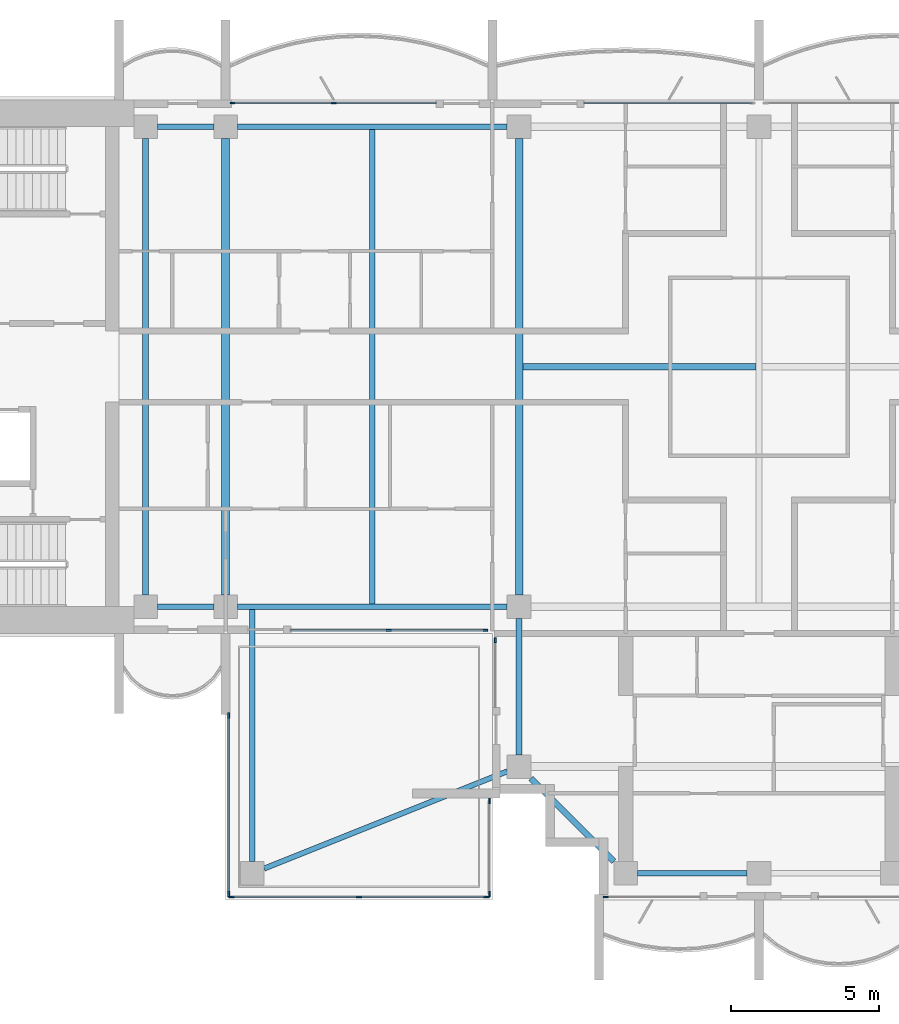
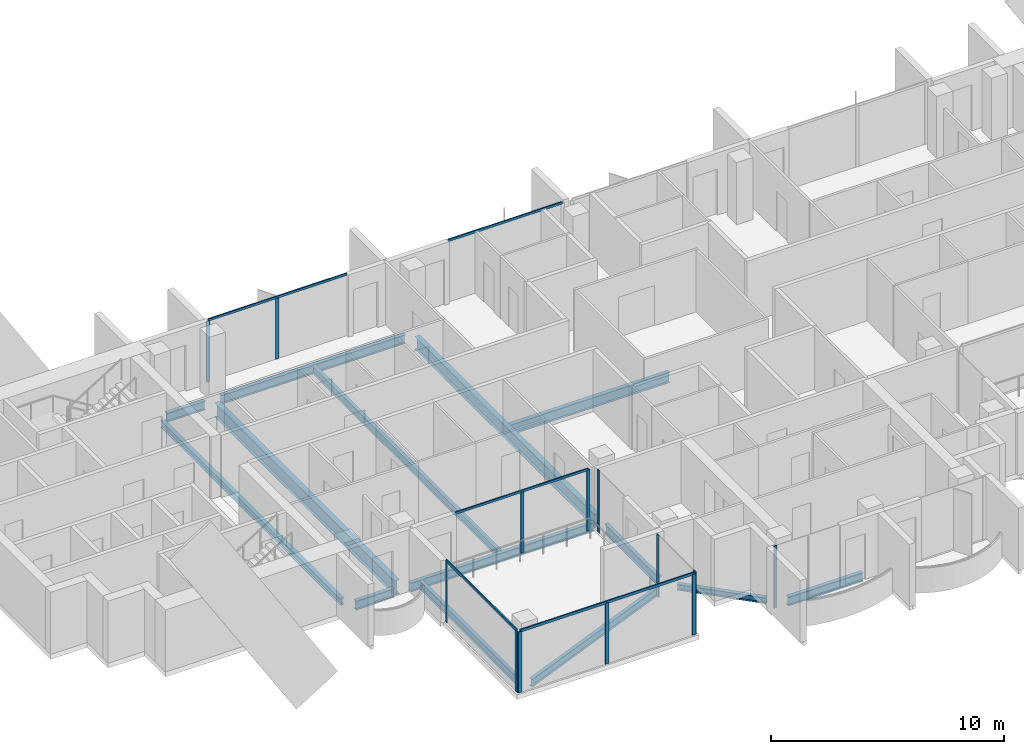
# One storey, part 2 of 16: 18 members, 14 beams, 8 elements without a shape of their own.
"""IFC4 building model written with IfcOpenShell, lengths in metres."""

from ifc_helpers import new_model, si_unit, direction, frame, origin, origin_2d, place, context, subcontext, project, spatial, rectangle, i_section, extrude, material, material_profile, profile_set, type_object, element, aggregate, save


model = new_model("IFC4")

# Units and contexts
model_context = context("Model", 3, precision=1e-05, world=origin(), true_north=direction((0.0, 1.0)))
body_context = subcontext(model_context, "Body", "Model", "MODEL_VIEW")
ifc_project = project(units=[si_unit("LENGTHUNIT", "METRE"), si_unit("AREAUNIT", "SQUARE_METRE"), si_unit("VOLUMEUNIT", "CUBIC_METRE"), si_unit("PLANEANGLEUNIT", "RADIAN"), si_unit("MASSUNIT", "GRAM", prefix="KILO")], contexts=[model_context])

# Site, building, storey
site_placement = place(None, origin())
site = spatial("IfcSite", under=ifc_project, at=site_placement, CompositionType="ELEMENT")
building_placement = place(site_placement, origin())
building = spatial("IfcBuilding", under=site, at=building_placement, Name="Perihelion Cross Residences", CompositionType="ELEMENT")
storey_placement = place(building_placement, frame((0.0, 0.0, 260.5)))
storey = spatial("IfcBuildingStorey", under=building, at=storey_placement, Name="L66", CompositionType="ELEMENT", Elevation=260.5)

# Curtain wall, members
ifc_material_1 = material(Name="Bronze anodised aluminium, tinted glazing", Category="aluminium")
curtain_wall_type_1 = type_object("IfcCurtainWallType", Name="CW1", PredefinedType="NOTDEFINED", material=ifc_material_1)
curtain_wall_1_placement = place(storey_placement, origin())
curtain_wall_1 = element("IfcCurtainWall", 1, at=curtain_wall_1_placement, inside=storey, type_object=curtain_wall_type_1, Name="Curtain wall CW1 L66 west side north bay 1", PredefinedType="NOTDEFINED")
ifc_material_2 = material(Name="Bronze anodised aluminium", Category="aluminium")
ifc_material_profile_1 = material_profile(ifc_material_2, rectangle(XDim=0.06005859375, YDim=0.159912109375, at=origin_2d()), Name="CW1 mullion")
ifc_profile_set_1 = profile_set([ifc_material_profile_1], Name="Bronze anodised aluminium")
member_type_1 = type_object("IfcMemberType", Name="CW1 mullion", PredefinedType="MULLION", material=ifc_profile_set_1)
member_1_placement = place(storey_placement, frame((-14.35009765625, 8.89990234375, 0.0), z_axis=(0.0, 0.0, 1.0), x_axis=(0.0, -1.0, 0.0)))
member_1 = element("IfcMember", 2, at=member_1_placement, type_object=member_type_1, Name="CW1 mullion 2", PredefinedType="MULLION", context=body_context, shape_type="SweptSolid", body=[
    extrude(rectangle(XDim=0.06005859375, YDim=0.159912109375, at=origin_2d()), origin(), (0.0, 0.0, 1.0), 3.18994140625),
])
member_2_placement = place(storey_placement, frame((-17.77001953125, 8.89990234375, 0.0), z_axis=(0.0, 0.0, 1.0), x_axis=(0.0, -1.0, 0.0)))
member_2 = element("IfcMember", 3, at=member_2_placement, type_object=member_type_1, Name="CW1 mullion 3", PredefinedType="MULLION", context=body_context, shape_type="SweptSolid", body=[
    extrude(rectangle(XDim=0.06005859375, YDim=0.159912109375, at=origin_2d()), origin(), (0.0, 0.0, 1.0), 3.18994140625),
])

curtain_wall_2_placement = place(storey_placement, origin())
curtain_wall_2 = element("IfcCurtainWall", 4, at=curtain_wall_2_placement, inside=storey, type_object=curtain_wall_type_1, Name="Curtain wall CW1 L66 west side south bay 2", PredefinedType="NOTDEFINED")
member_3_placement = place(storey_placement, frame((-12.5, -8.89990234375, 0.0), z_axis=(0.0, 0.0, 1.0), x_axis=(0.0, 1.0, 0.0)))
member_3 = element("IfcMember", 5, at=member_3_placement, type_object=member_type_1, Name="CW1 mullion 2", PredefinedType="MULLION", context=body_context, shape_type="SweptSolid", body=[
    extrude(rectangle(XDim=0.06005859375, YDim=0.159912109375, at=origin_2d()), origin(), (0.0, 0.0, 1.0), 3.18994140625),
])
member_4_placement = place(storey_placement, frame((-9.22998046875, -8.89990234375, 0.0), z_axis=(0.0, 0.0, 1.0), x_axis=(0.0, 1.0, 0.0)))
member_4 = element("IfcMember", 6, at=member_4_placement, type_object=member_type_1, Name="CW1 mullion 3", PredefinedType="MULLION", context=body_context, shape_type="SweptSolid", body=[
    extrude(rectangle(XDim=0.06005859375, YDim=0.159912109375, at=origin_2d()), origin(), (0.0, 0.0, 1.0), 3.18994140625),
])

# Curtain wall, member
curtain_wall_3_placement = place(storey_placement, origin())
curtain_wall_3 = element("IfcCurtainWall", 7, at=curtain_wall_3_placement, inside=storey, type_object=curtain_wall_type_1, Name="Curtain wall CW1 L66 south side west bay 1", PredefinedType="NOTDEFINED")
member_5_placement = place(storey_placement, frame((-8.89990234375, -9.22998046875, 0.0), z_axis=(0.0, 0.0, 1.0), x_axis=(1.0, 0.0, 0.0)))
member_5 = element("IfcMember", 8, at=member_5_placement, type_object=member_type_1, Name="CW1 mullion 1", PredefinedType="MULLION", context=body_context, shape_type="SweptSolid", body=[
    extrude(rectangle(XDim=0.06005859375, YDim=0.159912109375, at=origin_2d()), origin(), (0.0, 0.0, 1.0), 3.25),
])
aggregate(curtain_wall_3, [member_5])

curtain_wall_4_placement = place(storey_placement, origin())
curtain_wall_4 = element("IfcCurtainWall", 9, at=curtain_wall_4_placement, inside=storey, type_object=curtain_wall_type_1, Name="Curtain wall CW1 L66 south tip south bay 1", PredefinedType="NOTDEFINED")
member_6_placement = place(storey_placement, frame((-5.169921875, -17.89990234375, 0.0), z_axis=(0.0, 0.0, 1.0), x_axis=(0.0, 1.0, 0.0)))
member_6 = element("IfcMember", 10, at=member_6_placement, type_object=member_type_1, Name="CW1 mullion 1", PredefinedType="MULLION", context=body_context, shape_type="SweptSolid", body=[
    extrude(rectangle(XDim=0.06005859375, YDim=0.159912109375, at=origin_2d()), origin(), (0.0, 0.0, 1.0), 3.25),
])
aggregate(curtain_wall_4, [member_6])

curtain_wall_5_placement = place(storey_placement, origin())
curtain_wall_5 = element("IfcCurtainWall", 11, at=curtain_wall_5_placement, inside=storey, type_object=curtain_wall_type_1, Name="Curtain wall CW1 L66 north side east bay 2", PredefinedType="NOTDEFINED")
ifc_material_3 = material(Name="Bronze anodised aluminium", Category="aluminium")
ifc_material_profile_2 = material_profile(ifc_material_3, rectangle(XDim=0.06005859375, YDim=0.1201171875, at=origin_2d()), Name="CW1 transom")
ifc_profile_set_2 = profile_set([ifc_material_profile_2], Name="Bronze anodised aluminium")
member_type_2 = type_object("IfcMemberType", Name="CW1 transom", PredefinedType="USERDEFINED", material=ifc_profile_set_2)
member_7_placement = place(storey_placement, frame((-0.22998046875, 8.89990234375, 3.219970703125), z_axis=(-1.0, 0.0, 0.0), x_axis=(0.0, -1.0, 0.0)))
member_7 = element("IfcMember", 12, at=member_7_placement, type_object=member_type_2, Name="CW1 head transom", ObjectType="TRANSOM", PredefinedType="USERDEFINED", context=body_context, shape_type="SweptSolid", body=[
    extrude(rectangle(XDim=0.06005859375, YDim=0.1201171875, at=origin_2d()), origin(), (0.0, 0.0, 1.0), 5.669921875),
])
aggregate(curtain_wall_5, [member_7])

# Member
member_8_placement = place(storey_placement, frame((-10.89990234375, 8.89990234375, 3.219970703125), z_axis=(-1.0, 0.0, 0.0), x_axis=(0.0, -1.0, 0.0)))
member_8 = element("IfcMember", 13, at=member_8_placement, type_object=member_type_2, Name="CW1 head transom", ObjectType="TRANSOM", PredefinedType="USERDEFINED", context=body_context, shape_type="SweptSolid", body=[
    extrude(rectangle(XDim=0.06005859375, YDim=0.1201171875, at=origin_2d()), origin(), (0.0, 0.0, 1.0), 6.8701171875),
])

aggregate(curtain_wall_1, [member_1, member_2, member_8])

member_9_placement = place(storey_placement, frame((-15.800048828125, -8.89990234375, 3.219970703125), z_axis=(1.0, 0.0, 0.0), x_axis=(0.0, 1.0, 0.0)))
member_9 = element("IfcMember", 14, at=member_9_placement, type_object=member_type_2, Name="CW1 head transom", ObjectType="TRANSOM", PredefinedType="USERDEFINED", context=body_context, shape_type="SweptSolid", body=[
    extrude(rectangle(XDim=0.06005859375, YDim=0.1201171875, at=origin_2d()), origin(), (0.0, 0.0, 1.0), 6.570068359375),
])

aggregate(curtain_wall_2, [member_3, member_4, member_9])

# Curtain wall, members
ifc_material_4 = material(Name="Bronze anodised aluminium, tinted glazing", Category="aluminium")
curtain_wall_type_2 = type_object("IfcCurtainWallType", Name="CW4", PredefinedType="NOTDEFINED", material=ifc_material_4)
curtain_wall_6_placement = place(storey_placement, origin())
curtain_wall_6 = element("IfcCurtainWall", 15, at=curtain_wall_6_placement, inside=storey, type_object=curtain_wall_type_2, Name="Curtain wall CW4 L66 pocket south-west 1 1", PredefinedType="NOTDEFINED")
ifc_material_5 = material(Name="Bronze anodised aluminium", Category="aluminium")
ifc_material_profile_3 = material_profile(ifc_material_5, rectangle(XDim=0.06005859375, YDim=0.179931640625, at=origin_2d()), Name="CW4 mullion")
ifc_profile_set_3 = profile_set([ifc_material_profile_3], Name="Bronze anodised aluminium")
member_type_3 = type_object("IfcMemberType", Name="CW4 mullion", PredefinedType="MULLION", material=ifc_profile_set_3)
member_10_placement = place(storey_placement, frame((-9.10009765625, -14.658935546875, 0.0), z_axis=(0.0, 0.0, 1.0), x_axis=(1.0, 0.0, 0.0)))
member_10 = element("IfcMember", 16, at=member_10_placement, type_object=member_type_3, Name="CW4 mullion 1", PredefinedType="MULLION", context=body_context, shape_type="SweptSolid", body=[
    extrude(rectangle(XDim=0.06005859375, YDim=0.179931640625, at=origin_2d()), origin(), (0.0, 0.0, 1.0), 3.25),
])
member_11_placement = place(storey_placement, frame((-9.10009765625, -17.800048828125, 0.0), z_axis=(0.0, 0.0, 1.0), x_axis=(1.0, 0.0, 0.0)))
member_11 = element("IfcMember", 17, at=member_11_placement, type_object=member_type_3, Name="CW4 mullion 2", PredefinedType="MULLION", context=body_context, shape_type="SweptSolid", body=[
    extrude(rectangle(XDim=0.06005859375, YDim=0.179931640625, at=origin_2d()), origin(), (0.0, 0.0, 1.0), 3.25),
])
aggregate(curtain_wall_6, [member_10, member_11])

curtain_wall_7_placement = place(storey_placement, origin())
curtain_wall_7 = element("IfcCurtainWall", 18, at=curtain_wall_7_placement, inside=storey, type_object=curtain_wall_type_2, Name="Curtain wall CW4 L66 pocket south-west 1 2", PredefinedType="NOTDEFINED")
member_12_placement = place(storey_placement, frame((-9.199951171875, -17.89990234375, 0.0), z_axis=(0.0, 0.0, 1.0), x_axis=(0.0, -1.0, 0.0)))
member_12 = element("IfcMember", 19, at=member_12_placement, type_object=member_type_3, Name="CW4 mullion 1", PredefinedType="MULLION", context=body_context, shape_type="SweptSolid", body=[
    extrude(rectangle(XDim=0.06005859375, YDim=0.179931640625, at=origin_2d()), origin(), (0.0, 0.0, 1.0), 3.18994140625),
])
member_13_placement = place(storey_placement, frame((-13.5, -17.89990234375, 0.0), z_axis=(0.0, 0.0, 1.0), x_axis=(0.0, -1.0, 0.0)))
member_13 = element("IfcMember", 20, at=member_13_placement, type_object=member_type_3, Name="CW4 mullion 2", PredefinedType="MULLION", context=body_context, shape_type="SweptSolid", body=[
    extrude(rectangle(XDim=0.06005859375, YDim=0.179931640625, at=origin_2d()), origin(), (0.0, 0.0, 1.0), 3.18994140625),
])
member_14_placement = place(storey_placement, frame((-17.800048828125, -17.89990234375, 0.0), z_axis=(0.0, 0.0, 1.0), x_axis=(0.0, -1.0, 0.0)))
member_14 = element("IfcMember", 21, at=member_14_placement, type_object=member_type_3, Name="CW4 mullion 3", PredefinedType="MULLION", context=body_context, shape_type="SweptSolid", body=[
    extrude(rectangle(XDim=0.06005859375, YDim=0.179931640625, at=origin_2d()), origin(), (0.0, 0.0, 1.0), 3.18994140625),
])

curtain_wall_8_placement = place(storey_placement, origin())
curtain_wall_8 = element("IfcCurtainWall", 22, at=curtain_wall_8_placement, inside=storey, type_object=curtain_wall_type_2, Name="Curtain wall CW4 L66 pocket south-west 1 3", PredefinedType="NOTDEFINED")
member_15_placement = place(storey_placement, frame((-17.89990234375, -17.800048828125, 0.0), z_axis=(0.0, 0.0, 1.0), x_axis=(-1.0, 0.0, 0.0)))
member_15 = element("IfcMember", 23, at=member_15_placement, type_object=member_type_3, Name="CW4 mullion 1", PredefinedType="MULLION", context=body_context, shape_type="SweptSolid", body=[
    extrude(rectangle(XDim=0.06005859375, YDim=0.179931640625, at=origin_2d()), origin(), (0.0, 0.0, 1.0), 3.18994140625),
])
member_16_placement = place(storey_placement, frame((-17.89990234375, -11.77001953125, 0.0), z_axis=(0.0, 0.0, 1.0), x_axis=(-1.0, 0.0, 0.0)))
member_16 = element("IfcMember", 24, at=member_16_placement, type_object=member_type_3, Name="CW4 mullion 2", PredefinedType="MULLION", context=body_context, shape_type="SweptSolid", body=[
    extrude(rectangle(XDim=0.06005859375, YDim=0.179931640625, at=origin_2d()), origin(), (0.0, 0.0, 1.0), 3.18994140625),
])

# Member
ifc_material_6 = material(Name="Bronze anodised aluminium", Category="aluminium")
ifc_material_profile_4 = material_profile(ifc_material_6, rectangle(XDim=0.06005859375, YDim=0.139892578125, at=origin_2d()), Name="CW4 transom")
ifc_profile_set_4 = profile_set([ifc_material_profile_4], Name="Bronze anodised aluminium")
member_type_4 = type_object("IfcMemberType", Name="CW4 transom", PredefinedType="USERDEFINED", material=ifc_profile_set_4)
member_17_placement = place(storey_placement, frame((-9.199951171875, -17.89990234375, 3.219970703125), z_axis=(-1.0, 0.0, 0.0), x_axis=(0.0, -1.0, 0.0)))
member_17 = element("IfcMember", 25, at=member_17_placement, type_object=member_type_4, Name="CW4 head transom", ObjectType="TRANSOM", PredefinedType="USERDEFINED", context=body_context, shape_type="SweptSolid", body=[
    extrude(rectangle(XDim=0.06005859375, YDim=0.139892578125, at=origin_2d()), origin(), (0.0, 0.0, 1.0), 8.60009765625),
])

aggregate(curtain_wall_7, [member_12, member_13, member_14, member_17])

member_18_placement = place(storey_placement, frame((-17.89990234375, -17.800048828125, 3.219970703125), z_axis=(0.0, 1.0, 0.0), x_axis=(-1.0, 0.0, 0.0)))
member_18 = element("IfcMember", 26, at=member_18_placement, type_object=member_type_4, Name="CW4 head transom", ObjectType="TRANSOM", PredefinedType="USERDEFINED", context=body_context, shape_type="SweptSolid", body=[
    extrude(rectangle(XDim=0.06005859375, YDim=0.139892578125, at=origin_2d()), origin(), (0.0, 0.0, 1.0), 6.030029296875),
])

aggregate(curtain_wall_8, [member_15, member_16, member_18])

# Beams
ifc_material_7 = material(Name="Steel S355", Category="steel")
ifc_material_profile_5 = material_profile(ifc_material_7, i_section(OverallWidth=0.205078125, OverallDepth=0.35302734375, WebThickness=0.009521484375, FlangeThickness=0.016845703125, at=origin_2d()), Name="W360x79")
ifc_profile_set_5 = profile_set([ifc_material_profile_5], Name="Steel S355")
beam_type_1 = type_object("IfcBeamType", Name="Core edge beam W360x79", PredefinedType="BEAM", material=ifc_profile_set_5)
beam_1_placement = place(storey_placement, frame((-20.699951171875, -7.699951171875, -0.426513671875), z_axis=(0.0, 1.0, 0.0), x_axis=(-1.0, 0.0, 0.0)))
element("IfcBeam", 27, at=beam_1_placement, inside=storey, type_object=beam_type_1, Name="Core edge beam TB7 L66 no. 1", PredefinedType="BEAM", context=body_context, shape_type="SweptSolid", body=[
    extrude(i_section(OverallWidth=0.205078125, OverallDepth=0.35302734375, WebThickness=0.009521484375, FlangeThickness=0.016845703125, at=origin_2d()), origin(), (0.0, 0.0, 1.0), 15.39990234375),
])
ifc_material_8 = material(Name="Steel S355", Category="steel")
ifc_material_profile_6 = material_profile(ifc_material_8, i_section(OverallWidth=0.177978515625, OverallDepth=0.406005859375, WebThickness=0.0078125, FlangeThickness=0.0126953125, at=origin_2d()), Name="W410x60")
ifc_profile_set_6 = profile_set([ifc_material_profile_6], Name="Steel S355")
beam_type_2 = type_object("IfcBeamType", Name="Core edge beam W410x60", PredefinedType="BEAM", material=ifc_profile_set_6)
beam_2_placement = place(storey_placement, frame((-17.10009765625, -8.197021484375, -0.452880859375), z_axis=(0.0, -1.0, 0.0), x_axis=(1.0, 0.0, 0.0)))
element("IfcBeam", 28, at=beam_2_placement, inside=storey, type_object=beam_type_2, Name="Core edge beam TB2 L66 corner no. 1", PredefinedType="BEAM", context=body_context, shape_type="SweptSolid", body=[
    extrude(i_section(OverallWidth=0.177978515625, OverallDepth=0.406005859375, WebThickness=0.0078125, FlangeThickness=0.0126953125, at=origin_2d()), origin(), (0.0, 0.0, 1.0), 8.5029296875),
])
beam_3_placement = place(storey_placement, frame((-8.5, -13.659912109375, -0.452880859375), z_axis=(-0.928474784399, -0.371395442534, 0.0), x_axis=(0.371395442534, -0.928474784399, 0.0)))
element("IfcBeam", 29, at=beam_3_placement, inside=storey, type_object=beam_type_2, Name="Core edge beam TB2 L66 corner no. 2", PredefinedType="BEAM", context=body_context, shape_type="SweptSolid", body=[
    extrude(i_section(OverallWidth=0.177978515625, OverallDepth=0.406005859375, WebThickness=0.0078125, FlangeThickness=0.0126953125, at=origin_2d()), origin(), (0.0, 0.0, 1.0), 8.83154296875),
])
ifc_material_9 = material(Name="Steel S355", Category="steel")
ifc_material_profile_7 = material_profile(ifc_material_9, i_section(OverallWidth=0.194091796875, OverallDepth=0.469970703125, WebThickness=0.0126953125, FlangeThickness=0.0205078125, at=origin_2d()), Name="W460x106")
ifc_profile_set_7 = profile_set([ifc_material_profile_7], Name="Steel S355")
beam_type_3 = type_object("IfcBeamType", Name="Edge beam W460x106", PredefinedType="SPANDREL", material=ifc_profile_set_7)
beam_4_placement = place(storey_placement, frame((-8.5, 8.10009765625, -0.485107421875), z_axis=(-1.0, 0.0, 0.0), x_axis=(0.0, -1.0, 0.0)))
element("IfcBeam", 30, at=beam_4_placement, inside=storey, type_object=beam_type_3, Name="Edge beam SB5 L66 no. 6", PredefinedType="SPANDREL", context=body_context, shape_type="SweptSolid", body=[
    extrude(i_section(OverallWidth=0.194091796875, OverallDepth=0.469970703125, WebThickness=0.0126953125, FlangeThickness=0.0205078125, at=origin_2d()), origin(), (0.0, 0.0, 1.0), 9.10009765625),
])
for number, where, z_axis, x_axis, name in (
    (31, (-18.39990234375, 8.10009765625, -0.485107421875), (-1.0, 0.0, 0.0), (0.0, -1.0, 0.0), "Edge beam SB5 L66 no. 2"),
    (32, (-20.300048828125, -8.10009765625, -0.485107421875), (1.0, 0.0, 0.0), (0.0, 1.0, 0.0), "Edge beam SB5 L66 no. 3"),
):
    element("IfcBeam", number, at=place(storey_placement, frame(where, z_axis=z_axis, x_axis=x_axis)), inside=storey, type_object=beam_type_3, Name=name, PredefinedType="SPANDREL", context=body_context, shape_type="SweptSolid", body=[
        extrude(i_section(OverallWidth=0.194091796875, OverallDepth=0.469970703125, WebThickness=0.0126953125, FlangeThickness=0.0205078125, at=origin_2d()), origin(), (0.0, 0.0, 1.0), 1.900146484375),
    ])
beam_5_placement = place(storey_placement, frame((-17.60009765625, -8.10009765625, -0.485107421875), z_axis=(1.0, 0.0, 0.0), x_axis=(0.0, 1.0, 0.0)))
element("IfcBeam", 33, at=beam_5_placement, inside=storey, type_object=beam_type_3, Name="Edge beam SB5 L66 no. 1", PredefinedType="SPANDREL", context=body_context, shape_type="SweptSolid", body=[
    extrude(i_section(OverallWidth=0.194091796875, OverallDepth=0.469970703125, WebThickness=0.0126953125, FlangeThickness=0.0205078125, at=origin_2d()), origin(), (0.0, 0.0, 1.0), 9.10009765625),
])
beam_6_placement = place(storey_placement, frame((-8.10009765625, -8.5, -0.485107421875), z_axis=(0.0, -1.0, 0.0), x_axis=(1.0, 0.0, 0.0)))
element("IfcBeam", 34, at=beam_6_placement, inside=storey, type_object=beam_type_3, Name="Edge beam SB5 L66 no. 5", PredefinedType="SPANDREL", context=body_context, shape_type="SweptSolid", body=[
    extrude(i_section(OverallWidth=0.194091796875, OverallDepth=0.469970703125, WebThickness=0.0126953125, FlangeThickness=0.0205078125, at=origin_2d()), origin(), (0.0, 0.0, 1.0), 4.60009765625),
])
beam_7_placement = place(storey_placement, frame((-4.10009765625, -17.10009765625, -0.485107421875), z_axis=(1.0, 0.0, 0.0), x_axis=(0.0, 1.0, 0.0)))
element("IfcBeam", 35, at=beam_7_placement, inside=storey, type_object=beam_type_3, Name="Edge beam SB5 L66 no. 4", PredefinedType="SPANDREL", context=body_context, shape_type="SweptSolid", body=[
    extrude(i_section(OverallWidth=0.194091796875, OverallDepth=0.469970703125, WebThickness=0.0126953125, FlangeThickness=0.0205078125, at=origin_2d()), origin(), (0.0, 0.0, 1.0), 3.7001953125),
])
ifc_material_10 = material(Name="Steel S355", Category="steel")
ifc_material_profile_8 = material_profile(ifc_material_10, i_section(OverallWidth=0.26708984375, OverallDepth=0.75390625, WebThickness=0.01318359375, FlangeThickness=0.01708984375, at=origin_2d()), Name="W760x147")
ifc_profile_set_8 = profile_set([ifc_material_profile_8], Name="Steel S355")
beam_type_4 = type_object("IfcBeamType", Name="Floor girder W760x147", PredefinedType="BEAM", material=ifc_profile_set_8)
beam_8_placement = place(storey_placement, frame((-18.0, -7.699951171875, -0.626953125), z_axis=(0.0, 1.0, 0.0), x_axis=(-1.0, 0.0, 0.0)))
element("IfcBeam", 36, at=beam_8_placement, inside=storey, type_object=beam_type_4, Name="Girder G5 L66 no. 1", PredefinedType="BEAM", context=body_context, shape_type="SweptSolid", body=[
    extrude(i_section(OverallWidth=0.26708984375, OverallDepth=0.75390625, WebThickness=0.01318359375, FlangeThickness=0.01708984375, at=origin_2d()), origin(), (0.0, 0.0, 1.0), 15.39990234375),
])
ifc_material_11 = material(Name="Steel S355", Category="steel")
ifc_material_profile_9 = material_profile(ifc_material_11, i_section(OverallWidth=0.177978515625, OverallDepth=0.406005859375, WebThickness=0.0078125, FlangeThickness=0.0126953125, at=origin_2d()), Name="W410x60")
ifc_profile_set_9 = profile_set([ifc_material_profile_9], Name="Steel S355")
beam_type_5 = type_object("IfcBeamType", Name="Floor joist W410x60", PredefinedType="JOIST", material=ifc_profile_set_9)
beam_9_placement = place(storey_placement, frame((-13.050048828125, -8.0029296875, -0.452880859375), z_axis=(0.0, 1.0, 0.0), x_axis=(-1.0, 0.0, 0.0)))
element("IfcBeam", 37, at=beam_9_placement, inside=storey, type_object=beam_type_5, Name="Joist J6 L66 no. 1", PredefinedType="JOIST", context=body_context, shape_type="SweptSolid", body=[
    extrude(i_section(OverallWidth=0.177978515625, OverallDepth=0.406005859375, WebThickness=0.0078125, FlangeThickness=0.0126953125, at=origin_2d()), origin(), (0.0, 0.0, 1.0), 16.005859375),
])
ifc_material_12 = material(Name="Steel S355", Category="steel")
ifc_material_profile_10 = material_profile(ifc_material_12, i_section(OverallWidth=0.208984375, OverallDepth=0.532958984375, WebThickness=0.01025390625, FlangeThickness=0.015625, at=origin_2d()), Name="W530x92")
ifc_profile_set_10 = profile_set([ifc_material_profile_10], Name="Steel S355")
beam_type_6 = type_object("IfcBeamType", Name="Hub cross beam W530x92", PredefinedType="BEAM", material=ifc_profile_set_10)
beam_10_placement = place(storey_placement, frame((-7.972900390625, 0.0, -0.5166015625), z_axis=(1.0, 0.0, 0.0), x_axis=(0.0, 1.0, 0.0)))
element("IfcBeam", 38, at=beam_10_placement, inside=storey, type_object=beam_type_6, Name="Hub cross beam XB5 L66 1 no. 1", PredefinedType="BEAM", context=body_context, shape_type="SweptSolid", body=[
    extrude(i_section(OverallWidth=0.208984375, OverallDepth=0.532958984375, WebThickness=0.01025390625, FlangeThickness=0.015625, at=origin_2d()), origin(), (0.0, 0.0, 1.0), 7.868408203125),
])
ifc_material_13 = material(Name="Steel S355", Category="steel")
ifc_material_profile_11 = material_profile(ifc_material_13, i_section(OverallWidth=0.25390625, OverallDepth=0.677978515625, WebThickness=0.01171875, FlangeThickness=0.016357421875, at=origin_2d()), Name="W690x125")
ifc_profile_set_11 = profile_set([ifc_material_profile_11], Name="Steel S355")
beam_type_7 = type_object("IfcBeamType", Name="Hub ring girder W690x125", PredefinedType="BEAM", material=ifc_profile_set_11)
beam_11_placement = place(storey_placement, frame((-8.10009765625, 7.699951171875, -0.589111328125), z_axis=(0.0, -1.0, 0.0), x_axis=(1.0, 0.0, 0.0)))
element("IfcBeam", 39, at=beam_11_placement, inside=storey, type_object=beam_type_7, Name="Hub ring girder RG5 L66 no. 2", PredefinedType="BEAM", context=body_context, shape_type="SweptSolid", body=[
    extrude(i_section(OverallWidth=0.25390625, OverallDepth=0.677978515625, WebThickness=0.01171875, FlangeThickness=0.016357421875, at=origin_2d()), origin(), (0.0, 0.0, 1.0), 15.39990234375),
])
ifc_material_14 = material(Name="Steel S355", Category="steel")
ifc_material_profile_12 = material_profile(ifc_material_14, i_section(OverallWidth=0.202880859375, OverallDepth=0.302001953125, WebThickness=0.007568359375, FlangeThickness=0.01318359375, at=origin_2d()), Name="W310x60")
ifc_profile_set_12 = profile_set([ifc_material_profile_12], Name="Steel S355")
beam_type_8 = type_object("IfcBeamType", Name="Serration edge beam W310x60", PredefinedType="BEAM", material=ifc_profile_set_12)
beam_12_placement = place(storey_placement, frame((-7.699951171875, -13.89990234375, -0.40087890625), z_axis=(0.707106781187, -0.707106781187, 0.0), x_axis=(0.707106781187, 0.707106781187, 0.0)))
element("IfcBeam", 40, at=beam_12_placement, inside=storey, type_object=beam_type_8, Name="Serration edge beam EB5 L66 no. 1", PredefinedType="BEAM", context=body_context, shape_type="SweptSolid", body=[
    extrude(i_section(OverallWidth=0.202880859375, OverallDepth=0.302001953125, WebThickness=0.007568359375, FlangeThickness=0.01318359375, at=origin_2d()), origin(), (0.0, 0.0, 1.0), 3.9599609375),
])

save(model, "model.ifc")
